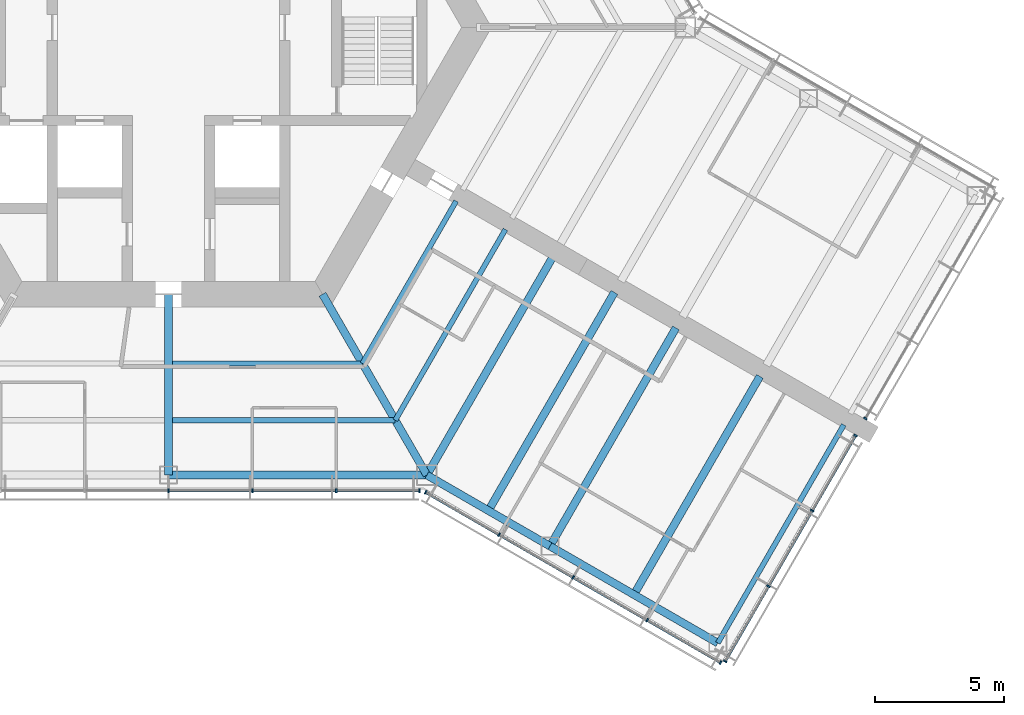
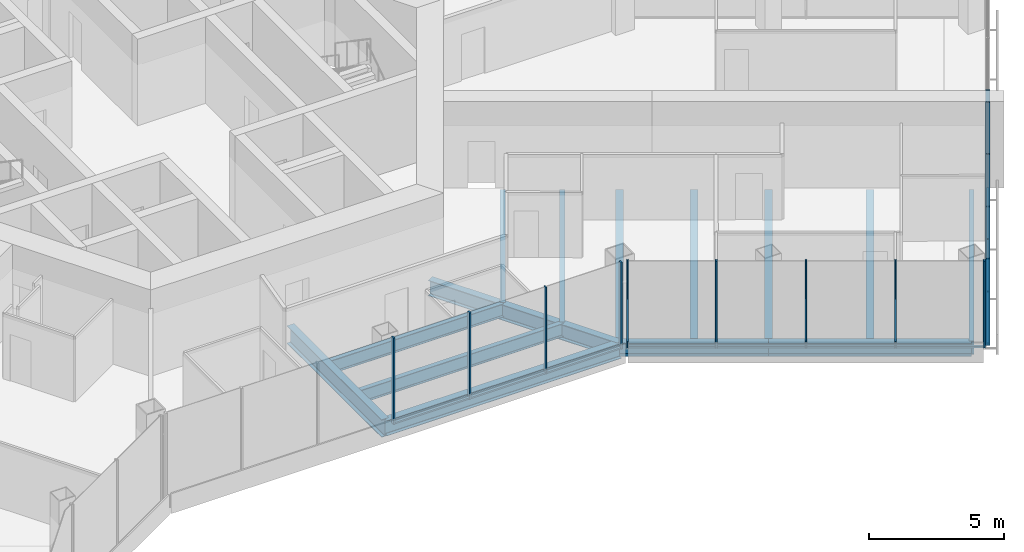
# One storey, part 5 of 19: 24 members, 14 beams, 4 elements without a shape of their own.
"""IFC4 building model written with IfcOpenShell, lengths in metres."""

from ifc_helpers import new_model, si_unit, direction, frame, origin, origin_2d, place, context, subcontext, project, spatial, rectangle, i_section, extrude, material, material_profile, profile_set, type_object, element, aggregate, save


model = new_model("IFC4")

# Units and contexts
model_context = context("Model", 3, precision=1e-05, world=origin(), true_north=direction((0.0, 1.0)))
body_context = subcontext(model_context, "Body", "Model", "MODEL_VIEW")
ifc_project = project(units=[si_unit("LENGTHUNIT", "METRE"), si_unit("AREAUNIT", "SQUARE_METRE"), si_unit("VOLUMEUNIT", "CUBIC_METRE"), si_unit("PLANEANGLEUNIT", "RADIAN"), si_unit("MASSUNIT", "GRAM", prefix="KILO")], contexts=[model_context])

# Site, building, storey
site_placement = place(None, origin())
site = spatial("IfcSite", under=ifc_project, at=site_placement, CompositionType="ELEMENT")
building_placement = place(site_placement, origin())
building = spatial("IfcBuilding", under=site, at=building_placement, Name="Kasaneha Research Tower", CompositionType="ELEMENT")
storey_placement = place(building_placement, frame((0.0, 0.0, 156.5)))
storey = spatial("IfcBuildingStorey", under=building, at=storey_placement, Name="L39", CompositionType="ELEMENT", Elevation=156.5)

# Beams
ifc_material_1 = material(Name="Steel SN490B", Category="steel")
ifc_material_profile_1 = material_profile(ifc_material_1, i_section(OverallWidth=0.199951171875, OverallDepth=0.60009765625, WebThickness=0.010986328125, FlangeThickness=0.01708984375, FilletRadius=0.012939453125, at=origin_2d()), Name="H-600x200x11x17")
ifc_profile_set_1 = profile_set([ifc_material_profile_1], Name="Steel SN490B")
beam_type_1 = type_object("IfcBeamType", Name="B1-3 secondary beam H-600x200x11x17", PredefinedType="JOIST", material=ifc_profile_set_1)
beam_1_placement = place(storey_placement, frame((7.505615234375, -13.0, -0.449951171875), z_axis=(-1.0, 0.0, 0.0), x_axis=(0.0, -1.0, 0.0)))
element("IfcBeam", 1, at=beam_1_placement, inside=storey, type_object=beam_type_1, Name="Secondary beam RS270R1 L39", PredefinedType="JOIST", context=body_context, shape_type="SweptSolid", body=[
    extrude(i_section(OverallWidth=0.199951171875, OverallDepth=0.60009765625, WebThickness=0.010986328125, FlangeThickness=0.01708984375, FilletRadius=0.012939453125, at=origin_2d()), origin(), (0.0, 0.0, 1.0), 7.355712890625),
])
beam_2_placement = place(storey_placement, frame((8.775634765625, -15.199951171875, -0.449951171875), z_axis=(-1.0, 0.0, 0.0), x_axis=(0.0, -1.0, 0.0)))
element("IfcBeam", 2, at=beam_2_placement, inside=storey, type_object=beam_type_1, Name="Secondary beam RS270R2 L39", PredefinedType="JOIST", context=body_context, shape_type="SweptSolid", body=[
    extrude(i_section(OverallWidth=0.199951171875, OverallDepth=0.60009765625, WebThickness=0.010986328125, FlangeThickness=0.01708984375, FilletRadius=0.012939453125, at=origin_2d()), origin(), (0.0, 0.0, 1.0), 8.625732421875),
])
beam_3_placement = place(storey_placement, frame((7.505615234375, -13.0, -0.449951171875), z_axis=(0.499993340521, 0.866029248602, 0.0), x_axis=(-0.866029248602, 0.499993340521, 0.0)))
element("IfcBeam", 3, at=beam_3_placement, inside=storey, type_object=beam_type_1, Name="Secondary beam RS330L1 L39", PredefinedType="JOIST", context=body_context, shape_type="SweptSolid", body=[
    extrude(i_section(OverallWidth=0.199951171875, OverallDepth=0.60009765625, WebThickness=0.010986328125, FlangeThickness=0.01708984375, FilletRadius=0.012939453125, at=origin_2d()), origin(), (0.0, 0.0, 1.0), 7.25537109375),
])
beam_4_placement = place(storey_placement, frame((8.775634765625, -15.199951171875, -0.449951171875), z_axis=(0.500004205306, 0.866022975836, 0.0), x_axis=(-0.866022975836, 0.500004205306, 0.0)))
element("IfcBeam", 4, at=beam_4_placement, inside=storey, type_object=beam_type_1, Name="Secondary beam RS330L2 L39", PredefinedType="JOIST", context=body_context, shape_type="SweptSolid", body=[
    extrude(i_section(OverallWidth=0.199951171875, OverallDepth=0.60009765625, WebThickness=0.010986328125, FlangeThickness=0.01708984375, FilletRadius=0.012939453125, at=origin_2d()), origin(), (0.0, 0.0, 1.0), 8.52587890625),
])
ifc_material_2 = material(Name="Steel SN490B", Category="steel")
ifc_material_profile_2 = material_profile(ifc_material_2, i_section(OverallWidth=0.300048828125, OverallDepth=0.58203125, WebThickness=0.011962890625, FlangeThickness=0.01708984375, FilletRadius=0.012939453125, at=origin_2d()), Name="H-582x300x12x17")
ifc_profile_set_2 = profile_set([ifc_material_profile_2], Name="Steel SN490B")
beam_type_2 = type_object("IfcBeamType", Name="B2-3 secondary beam H-582x300x12x17", PredefinedType="JOIST", material=ifc_profile_set_2)
for number, where, z_axis, x_axis, name in (
    (5, (12.381591796875, -18.695556640625, -0.44091796875), (0.499995560238, 0.866027967067, 0.0), (-0.866027967067, 0.499995560238, 0.0), "Secondary beam WBCP1 L39"),
    (6, (18.0107421875, -21.945556640625, -0.44091796875), (0.499995560238, 0.866027967067, 0.0), (-0.866027967067, 0.499995560238, 0.0), "Secondary beam WBCP2 L39"),
):
    element("IfcBeam", number, at=place(storey_placement, frame(where, z_axis=z_axis, x_axis=x_axis)), inside=storey, type_object=beam_type_2, Name=name, PredefinedType="JOIST", context=body_context, shape_type="SweptSolid", body=[
        extrude(i_section(OverallWidth=0.300048828125, OverallDepth=0.58203125, WebThickness=0.011962890625, FlangeThickness=0.01708984375, FilletRadius=0.012939453125, at=origin_2d()), origin(), (0.0, 0.0, 1.0), 9.75),
    ])

# Curtain wall, members
ifc_material_3 = material(Name="Glass and aluminium", Category="aluminium")
curtain_wall_type = type_object("IfcCurtainWallType", Name="Mid-rise office curtain wall", PredefinedType="USERDEFINED", material=ifc_material_3)
curtain_wall_1_placement = place(storey_placement, origin())
curtain_wall_1 = element("IfcCurtainWall", 7, at=curtain_wall_1_placement, inside=storey, type_object=curtain_wall_type, Name="CW-O2 L39 run 01a", ObjectType="UNITISED CURTAIN WALL", PredefinedType="USERDEFINED")
ifc_material_4 = material(Name="Aluminium 6063-T6", Category="aluminium")
ifc_material_profile_3 = material_profile(ifc_material_4, rectangle(XDim=0.06005859375, YDim=0.14990234375, at=origin_2d()), Name="CW-O2 mullion 60x150")
ifc_profile_set_3 = profile_set([ifc_material_profile_3], Name="Aluminium 6063-T6")
member_type_1 = type_object("IfcMemberType", Name="CW-O2 mullion", PredefinedType="MULLION", material=ifc_profile_set_3)
member_1_placement = place(storey_placement, frame((0.0, -17.92041015625, 0.0), z_axis=(0.0, 0.0, 1.0), x_axis=(1.0, 0.0, 0.0)))
member_1 = element("IfcMember", 8, at=member_1_placement, type_object=member_type_1, Name="CW-O2 mullion 4", PredefinedType="MULLION", context=body_context, shape_type="SweptSolid", body=[
    extrude(rectangle(XDim=0.06005859375, YDim=0.14990234375, at=origin_2d()), origin(), (0.0, 0.0, 1.0), 3.89990234375),
])
member_2_placement = place(storey_placement, frame((3.246337890625, -17.92041015625, 0.0), z_axis=(0.0, 0.0, 1.0), x_axis=(1.0, 0.0, 0.0)))
member_2 = element("IfcMember", 9, at=member_2_placement, type_object=member_type_1, Name="CW-O2 mullion 5", PredefinedType="MULLION", context=body_context, shape_type="SweptSolid", body=[
    extrude(rectangle(XDim=0.06005859375, YDim=0.14990234375, at=origin_2d()), origin(), (0.0, 0.0, 1.0), 3.89990234375),
])
member_3_placement = place(storey_placement, frame((6.492919921875, -17.92041015625, 0.0), z_axis=(0.0, 0.0, 1.0), x_axis=(1.0, 0.0, 0.0)))
member_3 = element("IfcMember", 10, at=member_3_placement, type_object=member_type_1, Name="CW-O2 mullion 6", PredefinedType="MULLION", context=body_context, shape_type="SweptSolid", body=[
    extrude(rectangle(XDim=0.06005859375, YDim=0.14990234375, at=origin_2d()), origin(), (0.0, 0.0, 1.0), 3.89990234375),
])
member_4_placement = place(storey_placement, frame((9.709228515625, -17.92041015625, 0.0), z_axis=(0.0, 0.0, 1.0), x_axis=(1.0, 0.0, 0.0)))
member_4 = element("IfcMember", 11, at=member_4_placement, type_object=member_type_1, Name="CW-O2 mullion 7", PredefinedType="MULLION", context=body_context, shape_type="SweptSolid", body=[
    extrude(rectangle(XDim=0.06005859375, YDim=0.14990234375, at=origin_2d()), origin(), (0.0, 0.0, 1.0), 3.89990234375),
])

curtain_wall_2_placement = place(storey_placement, origin())
curtain_wall_2 = element("IfcCurtainWall", 12, at=curtain_wall_2_placement, inside=storey, type_object=curtain_wall_type, Name="CW-O2 L39 run 02a", ObjectType="UNITISED CURTAIN WALL", PredefinedType="USERDEFINED")
member_5_placement = place(storey_placement, frame((9.951904296875, -17.985595703125, 0.0), z_axis=(0.0, 0.0, 1.0), x_axis=(0.866025411464, -0.499999986699, 0.0)))
member_5 = element("IfcMember", 13, at=member_5_placement, type_object=member_type_1, Name="CW-O2 mullion 1", PredefinedType="MULLION", context=body_context, shape_type="SweptSolid", body=[
    extrude(rectangle(XDim=0.06005859375, YDim=0.14990234375, at=origin_2d()), origin(), (0.0, 0.0, 1.0), 3.89990234375),
])
member_6_placement = place(storey_placement, frame((12.792236328125, -19.62548828125, 0.0), z_axis=(0.0, 0.0, 1.0), x_axis=(0.866025411464, -0.499999986699, 0.0)))
member_6 = element("IfcMember", 14, at=member_6_placement, type_object=member_type_1, Name="CW-O2 mullion 2", PredefinedType="MULLION", context=body_context, shape_type="SweptSolid", body=[
    extrude(rectangle(XDim=0.06005859375, YDim=0.14990234375, at=origin_2d()), origin(), (0.0, 0.0, 1.0), 3.89990234375),
])
member_7_placement = place(storey_placement, frame((15.65869140625, -21.2802734375, 0.0), z_axis=(0.0, 0.0, 1.0), x_axis=(0.866025411464, -0.499999986699, 0.0)))
member_7 = element("IfcMember", 15, at=member_7_placement, type_object=member_type_1, Name="CW-O2 mullion 3", PredefinedType="MULLION", context=body_context, shape_type="SweptSolid", body=[
    extrude(rectangle(XDim=0.06005859375, YDim=0.14990234375, at=origin_2d()), origin(), (0.0, 0.0, 1.0), 3.89990234375),
])
member_8_placement = place(storey_placement, frame((18.52490234375, -22.935302734375, 0.0), z_axis=(0.0, 0.0, 1.0), x_axis=(0.866025411464, -0.499999986699, 0.0)))
member_8 = element("IfcMember", 16, at=member_8_placement, type_object=member_type_1, Name="CW-O2 mullion 4", PredefinedType="MULLION", context=body_context, shape_type="SweptSolid", body=[
    extrude(rectangle(XDim=0.06005859375, YDim=0.14990234375, at=origin_2d()), origin(), (0.0, 0.0, 1.0), 3.89990234375),
])
member_9_placement = place(storey_placement, frame((21.365478515625, -24.5751953125, 0.0), z_axis=(0.0, 0.0, 1.0), x_axis=(0.866025411464, -0.499999986699, 0.0)))
member_9 = element("IfcMember", 17, at=member_9_placement, type_object=member_type_1, Name="CW-O2 mullion 5", PredefinedType="MULLION", context=body_context, shape_type="SweptSolid", body=[
    extrude(rectangle(XDim=0.06005859375, YDim=0.14990234375, at=origin_2d()), origin(), (0.0, 0.0, 1.0), 3.89990234375),
])

curtain_wall_3_placement = place(storey_placement, origin())
curtain_wall_3 = element("IfcCurtainWall", 18, at=curtain_wall_3_placement, inside=storey, type_object=curtain_wall_type, Name="CW-O2 L39 run 03a", ObjectType="UNITISED CURTAIN WALL", PredefinedType="USERDEFINED")
member_10_placement = place(storey_placement, frame((21.54296875, -24.527587890625, 0.0), z_axis=(0.0, 0.0, 1.0), x_axis=(0.500000011442, 0.866025397178, 0.0)))
member_10 = element("IfcMember", 19, at=member_10_placement, type_object=member_type_1, Name="CW-O2 mullion 1", PredefinedType="MULLION", context=body_context, shape_type="SweptSolid", body=[
    extrude(rectangle(XDim=0.06005859375, YDim=0.14990234375, at=origin_2d()), origin(), (0.0, 0.0, 1.0), 3.89990234375),
])
member_11_placement = place(storey_placement, frame((23.2197265625, -21.62353515625, 0.0), z_axis=(0.0, 0.0, 1.0), x_axis=(0.500000011442, 0.866025397178, 0.0)))
member_11 = element("IfcMember", 20, at=member_11_placement, type_object=member_type_1, Name="CW-O2 mullion 2", PredefinedType="MULLION", context=body_context, shape_type="SweptSolid", body=[
    extrude(rectangle(XDim=0.06005859375, YDim=0.14990234375, at=origin_2d()), origin(), (0.0, 0.0, 1.0), 3.89990234375),
])
member_12_placement = place(storey_placement, frame((24.911376953125, -18.693359375, 0.0), z_axis=(0.0, 0.0, 1.0), x_axis=(0.500000011442, 0.866025397178, 0.0)))
member_12 = element("IfcMember", 21, at=member_12_placement, type_object=member_type_1, Name="CW-O2 mullion 3", PredefinedType="MULLION", context=body_context, shape_type="SweptSolid", body=[
    extrude(rectangle(XDim=0.06005859375, YDim=0.14990234375, at=origin_2d()), origin(), (0.0, 0.0, 1.0), 3.89990234375),
])
member_13_placement = place(storey_placement, frame((26.587890625, -15.789306640625, 0.0), z_axis=(0.0, 0.0, 1.0), x_axis=(0.500000011442, 0.866025397178, 0.0)))
member_13 = element("IfcMember", 22, at=member_13_placement, type_object=member_type_1, Name="CW-O2 mullion 4", PredefinedType="MULLION", context=body_context, shape_type="SweptSolid", body=[
    extrude(rectangle(XDim=0.06005859375, YDim=0.14990234375, at=origin_2d()), origin(), (0.0, 0.0, 1.0), 3.89990234375),
])

# Curtain wall, member
curtain_wall_4_placement = place(storey_placement, origin())
curtain_wall_4 = element("IfcCurtainWall", 23, at=curtain_wall_4_placement, inside=storey, type_object=curtain_wall_type, Name="CW-O2 L39 run 04a", ObjectType="UNITISED CURTAIN WALL", PredefinedType="USERDEFINED")
member_14_placement = place(storey_placement, frame((26.968017578125, -15.131103515625, 0.0), z_axis=(0.0, 0.0, 1.0), x_axis=(0.500000011442, 0.866025397178, 0.0)))
member_14 = element("IfcMember", 24, at=member_14_placement, type_object=member_type_1, Name="CW-O2 mullion 1", PredefinedType="MULLION", context=body_context, shape_type="SweptSolid", body=[
    extrude(rectangle(XDim=0.06005859375, YDim=0.14990234375, at=origin_2d()), origin(), (0.0, 0.0, 1.0), 3.89990234375),
])
aggregate(curtain_wall_4, [member_14])

# Member
ifc_material_5 = material(Name="Aluminium 6063-T6", Category="aluminium")
ifc_material_profile_4 = material_profile(ifc_material_5, rectangle(XDim=0.110107421875, YDim=0.06005859375, at=origin_2d()), Name="CW-O2 transom 110x60")
ifc_profile_set_4 = profile_set([ifc_material_profile_4], Name="Aluminium 6063-T6")
member_type_2 = type_object("IfcMemberType", Name="CW-O2 transom", PredefinedType="USERDEFINED", material=ifc_profile_set_4)
member_15_placement = place(storey_placement, frame((0.030029296875, -17.92041015625, 0.030029296875), z_axis=(1.0, 0.0, 0.0), x_axis=(0.0, 1.0, 0.0)))
member_15 = element("IfcMember", 25, at=member_15_placement, type_object=member_type_2, Name="CW-O2 transom 4", ObjectType="TRANSOM", PredefinedType="USERDEFINED", context=body_context, shape_type="SweptSolid", body=[
    extrude(rectangle(XDim=0.110107421875, YDim=0.06005859375, at=origin_2d()), origin(), (0.0, 0.0, 1.0), 3.186279296875),
])

member_16_placement = place(storey_placement, frame((3.2763671875, -17.92041015625, 0.030029296875), z_axis=(1.0, 0.0, 0.0), x_axis=(0.0, 1.0, 0.0)))
member_16 = element("IfcMember", 26, at=member_16_placement, type_object=member_type_2, Name="CW-O2 transom 5", ObjectType="TRANSOM", PredefinedType="USERDEFINED", context=body_context, shape_type="SweptSolid", body=[
    extrude(rectangle(XDim=0.110107421875, YDim=0.06005859375, at=origin_2d()), origin(), (0.0, 0.0, 1.0), 3.1865234375),
])

member_17_placement = place(storey_placement, frame((6.522705078125, -17.92041015625, 0.030029296875), z_axis=(1.0, 0.0, 0.0), x_axis=(0.0, 1.0, 0.0)))
member_17 = element("IfcMember", 27, at=member_17_placement, type_object=member_type_2, Name="CW-O2 transom 6", ObjectType="TRANSOM", PredefinedType="USERDEFINED", context=body_context, shape_type="SweptSolid", body=[
    extrude(rectangle(XDim=0.110107421875, YDim=0.06005859375, at=origin_2d()), origin(), (0.0, 0.0, 1.0), 3.156494140625),
])

aggregate(curtain_wall_1, [member_1, member_2, member_3, member_4, member_15, member_16, member_17])

member_18_placement = place(storey_placement, frame((9.977783203125, -18.00048828125, 0.030029296875), z_axis=(0.866022692473, -0.500004696101, 0.0), x_axis=(0.500004696101, 0.866022692473, 0.0)))
member_18 = element("IfcMember", 28, at=member_18_placement, type_object=member_type_2, Name="CW-O2 transom 1", ObjectType="TRANSOM", PredefinedType="USERDEFINED", context=body_context, shape_type="SweptSolid", body=[
    extrude(rectangle(XDim=0.110107421875, YDim=0.06005859375, at=origin_2d()), origin(), (0.0, 0.0, 1.0), 3.2197265625),
])

member_19_placement = place(storey_placement, frame((12.818115234375, -19.640380859375, 0.030029296875), z_axis=(0.866015446554, -0.500017246033, 0.0), x_axis=(0.500017246033, 0.866015446554, 0.0)))
member_19 = element("IfcMember", 29, at=member_19_placement, type_object=member_type_2, Name="CW-O2 transom 2", ObjectType="TRANSOM", PredefinedType="USERDEFINED", context=body_context, shape_type="SweptSolid", body=[
    extrude(rectangle(XDim=0.110107421875, YDim=0.06005859375, at=origin_2d()), origin(), (0.0, 0.0, 1.0), 3.25),
])

member_20_placement = place(storey_placement, frame((15.6845703125, -21.29541015625, 0.030029296875), z_axis=(0.86604797581, -0.499960902066, 0.0), x_axis=(0.499960902066, 0.86604797581, 0.0)))
member_20 = element("IfcMember", 30, at=member_20_placement, type_object=member_type_2, Name="CW-O2 transom 3", ObjectType="TRANSOM", PredefinedType="USERDEFINED", context=body_context, shape_type="SweptSolid", body=[
    extrude(rectangle(XDim=0.110107421875, YDim=0.06005859375, at=origin_2d()), origin(), (0.0, 0.0, 1.0), 3.249755859375),
])

member_21_placement = place(storey_placement, frame((18.551025390625, -22.9501953125, 0.030029296875), z_axis=(0.866022692473, -0.500004696101, 0.0), x_axis=(0.500004696101, 0.866022692473, 0.0)))
member_21 = element("IfcMember", 31, at=member_21_placement, type_object=member_type_2, Name="CW-O2 transom 4", ObjectType="TRANSOM", PredefinedType="USERDEFINED", context=body_context, shape_type="SweptSolid", body=[
    extrude(rectangle(XDim=0.110107421875, YDim=0.06005859375, at=origin_2d()), origin(), (0.0, 0.0, 1.0), 3.2197265625),
])

aggregate(curtain_wall_2, [member_5, member_6, member_7, member_8, member_9, member_18, member_19, member_20, member_21])

member_22_placement = place(storey_placement, frame((21.557861328125, -24.50146484375, 0.030029296875), z_axis=(0.500021914551, 0.866012751043, 0.0), x_axis=(-0.866012751043, 0.500021914551, 0.0)))
member_22 = element("IfcMember", 32, at=member_22_placement, type_object=member_type_2, Name="CW-O2 transom 1", ObjectType="TRANSOM", PredefinedType="USERDEFINED", context=body_context, shape_type="SweptSolid", body=[
    extrude(rectangle(XDim=0.110107421875, YDim=0.06005859375, at=origin_2d()), origin(), (0.0, 0.0, 1.0), 3.293212890625),
])

member_23_placement = place(storey_placement, frame((23.234619140625, -21.597412109375, 0.030029296875), z_axis=(0.500010745865, 0.866019199568, 0.0), x_axis=(-0.866019199568, 0.500010745865, 0.0)))
member_23 = element("IfcMember", 33, at=member_23_placement, type_object=member_type_2, Name="CW-O2 transom 2", ObjectType="TRANSOM", PredefinedType="USERDEFINED", context=body_context, shape_type="SweptSolid", body=[
    extrude(rectangle(XDim=0.110107421875, YDim=0.06005859375, at=origin_2d()), origin(), (0.0, 0.0, 1.0), 3.3232421875),
])

member_24_placement = place(storey_placement, frame((24.92626953125, -18.66748046875, 0.030029296875), z_axis=(0.500021914551, 0.866012751043, 0.0), x_axis=(-0.866012751043, 0.500021914551, 0.0)))
member_24 = element("IfcMember", 34, at=member_24_placement, type_object=member_type_2, Name="CW-O2 transom 3", ObjectType="TRANSOM", PredefinedType="USERDEFINED", context=body_context, shape_type="SweptSolid", body=[
    extrude(rectangle(XDim=0.110107421875, YDim=0.06005859375, at=origin_2d()), origin(), (0.0, 0.0, 1.0), 3.293212890625),
])

aggregate(curtain_wall_3, [member_10, member_11, member_12, member_13, member_22, member_23, member_24])

# Beams
ifc_material_6 = material(Name="Steel SN490B", Category="steel")
ifc_material_profile_5 = material_profile(ifc_material_6, i_section(OverallWidth=0.300048828125, OverallDepth=0.699951171875, WebThickness=0.012939453125, FlangeThickness=0.02392578125, FilletRadius=0.01806640625, at=origin_2d()), Name="H-700x300x13x24")
ifc_profile_set_5 = profile_set([ifc_material_profile_5], Name="Steel SN490B")
beam_type_3 = type_object("IfcBeamType", Name="G1-3 radial girder H-700x300x13x24", PredefinedType="BEAM", material=ifc_profile_set_5)
beam_5_placement = place(storey_placement, frame((5.961181640625, -10.324951171875, -0.5), z_axis=(0.49999105496, -0.866030568144, 0.0), x_axis=(0.866030568144, 0.49999105496, 0.0)))
element("IfcBeam", 35, at=beam_5_placement, inside=storey, type_object=beam_type_3, Name="Radial girder RV300 L39", PredefinedType="BEAM", context=body_context, shape_type="SweptSolid", body=[
    extrude(i_section(OverallWidth=0.300048828125, OverallDepth=0.699951171875, WebThickness=0.012939453125, FlangeThickness=0.02392578125, FilletRadius=0.01806640625, at=origin_2d()), origin(), (0.0, 0.0, 1.0), 8.077880859375),
])
ifc_material_7 = material(Name="Steel SN490B", Category="steel")
ifc_material_profile_6 = material_profile(ifc_material_7, i_section(OverallWidth=0.300048828125, OverallDepth=0.800048828125, WebThickness=0.013916015625, FlangeThickness=0.02587890625, FilletRadius=0.01806640625, at=origin_2d()), Name="H-800x300x14x26")
ifc_profile_set_6 = profile_set([ifc_material_profile_6], Name="Steel SN490B")
beam_type_4 = type_object("IfcBeamType", Name="G2-3 radial girder H-800x300x14x26", PredefinedType="BEAM", material=ifc_profile_set_6)
beam_6_placement = place(storey_placement, frame((0.0, -10.324951171875, -0.550048828125), z_axis=(0.0, -1.0, 0.0), x_axis=(1.0, 0.0, 0.0)))
element("IfcBeam", 36, at=beam_6_placement, inside=storey, type_object=beam_type_4, Name="Radial girder RM270 L39", PredefinedType="BEAM", context=body_context, shape_type="SweptSolid", body=[
    extrude(i_section(OverallWidth=0.300048828125, OverallDepth=0.800048828125, WebThickness=0.013916015625, FlangeThickness=0.02587890625, FilletRadius=0.01806640625, at=origin_2d()), origin(), (0.0, 0.0, 1.0), 6.99560546875),
])
ifc_material_8 = material(Name="Steel SN490B", Category="steel")
ifc_material_profile_7 = material_profile(ifc_material_8, i_section(OverallWidth=0.300048828125, OverallDepth=0.69189453125, WebThickness=0.012939453125, FlangeThickness=0.02001953125, FilletRadius=0.01806640625, at=origin_2d()), Name="H-692x300x13x20")
ifc_profile_set_7 = profile_set([ifc_material_profile_7], Name="Steel SN490B")
beam_type_5 = type_object("IfcBeamType", Name="G3-3 plate edge girder H-692x300x13x20", PredefinedType="BEAM", material=ifc_profile_set_7)
beam_7_placement = place(storey_placement, frame((10.0, -17.320556640625, -0.49609375), z_axis=(0.499995560238, 0.866027967067, 0.0), x_axis=(-0.866027967067, 0.499995560238, 0.0)))
element("IfcBeam", 37, at=beam_7_placement, inside=storey, type_object=beam_type_5, Name="Plate edge girder PECP L39", PredefinedType="BEAM", context=body_context, shape_type="SweptSolid", body=[
    extrude(i_section(OverallWidth=0.300048828125, OverallDepth=0.69189453125, WebThickness=0.012939453125, FlangeThickness=0.02001953125, FilletRadius=0.01806640625, at=origin_2d()), origin(), (0.0, 0.0, 1.0), 9.75),
])
ifc_material_9 = material(Name="Steel SN490B", Category="steel")
ifc_material_profile_8 = material_profile(ifc_material_9, i_section(OverallWidth=0.300048828125, OverallDepth=0.699951171875, WebThickness=0.012939453125, FlangeThickness=0.02392578125, FilletRadius=0.01806640625, at=origin_2d()), Name="H-700x300x13x24")
ifc_profile_set_8 = profile_set([ifc_material_profile_8], Name="Steel SN490B")
beam_type_6 = type_object("IfcBeamType", Name="G4-3 wing girder H-700x300x13x24", PredefinedType="BEAM", material=ifc_profile_set_8)
beam_8_placement = place(storey_placement, frame((14.76318359375, -20.070556640625, -0.5), z_axis=(0.499995560238, 0.866027967067, 0.0), x_axis=(-0.866027967067, 0.499995560238, 0.0)))
element("IfcBeam", 38, at=beam_8_placement, inside=storey, type_object=beam_type_6, Name="Wing girder WGCP L39", PredefinedType="BEAM", context=body_context, shape_type="SweptSolid", body=[
    extrude(i_section(OverallWidth=0.300048828125, OverallDepth=0.699951171875, WebThickness=0.012939453125, FlangeThickness=0.02392578125, FilletRadius=0.01806640625, at=origin_2d()), origin(), (0.0, 0.0, 1.0), 9.75),
])
ifc_material_10 = material(Name="Steel SN490B", Category="steel")
ifc_material_profile_9 = material_profile(ifc_material_10, i_section(OverallWidth=0.300048828125, OverallDepth=0.69189453125, WebThickness=0.012939453125, FlangeThickness=0.02001953125, FilletRadius=0.01806640625, at=origin_2d()), Name="H-692x300x13x20")
ifc_profile_set_9 = profile_set([ifc_material_profile_9], Name="Steel SN490B")
beam_type_7 = type_object("IfcBeamType", Name="SB1-3 spandrel beam H-692x300x13x20", PredefinedType="SPANDREL", material=ifc_profile_set_9)
beam_9_placement = place(storey_placement, frame((10.0, -17.320556640625, -0.49609375), z_axis=(-1.0, 0.0, 0.0), x_axis=(0.0, -1.0, 0.0)))
element("IfcBeam", 39, at=beam_9_placement, inside=storey, type_object=beam_type_7, Name="Spandrel beam SR270R L39", PredefinedType="SPANDREL", context=body_context, shape_type="SweptSolid", body=[
    extrude(i_section(OverallWidth=0.300048828125, OverallDepth=0.69189453125, WebThickness=0.012939453125, FlangeThickness=0.02001953125, FilletRadius=0.01806640625, at=origin_2d()), origin(), (0.0, 0.0, 1.0), 10.0),
])
ifc_material_11 = material(Name="Steel SN490B", Category="steel")
ifc_material_profile_10 = material_profile(ifc_material_11, i_section(OverallWidth=0.300048828125, OverallDepth=0.58203125, WebThickness=0.011962890625, FlangeThickness=0.01708984375, FilletRadius=0.012939453125, at=origin_2d()), Name="H-582x300x12x17")
ifc_profile_set_10 = profile_set([ifc_material_profile_10], Name="Steel SN490B")
beam_type_8 = type_object("IfcBeamType", Name="SB2-3 spandrel beam H-582x300x12x17", PredefinedType="SPANDREL", material=ifc_profile_set_10)
beam_10_placement = place(storey_placement, frame((10.0, -17.320556640625, -0.44091796875), z_axis=(0.866027397988, -0.499996545922, 0.0), x_axis=(0.499996545922, 0.866027397988, 0.0)))
element("IfcBeam", 40, at=beam_10_placement, inside=storey, type_object=beam_type_8, Name="Spandrel beam WSCP1 L39", PredefinedType="SPANDREL", context=body_context, shape_type="SweptSolid", body=[
    extrude(i_section(OverallWidth=0.300048828125, OverallDepth=0.58203125, WebThickness=0.011962890625, FlangeThickness=0.01708984375, FilletRadius=0.012939453125, at=origin_2d()), origin(), (0.0, 0.0, 1.0), 5.5),
])
beam_11_placement = place(storey_placement, frame((14.76318359375, -20.070556640625, -0.44091796875), z_axis=(0.866022959057, -0.500004234368, 0.0), x_axis=(0.500004234368, 0.866022959057, 0.0)))
element("IfcBeam", 41, at=beam_11_placement, inside=storey, type_object=beam_type_8, Name="Spandrel beam WSCP2 L39", PredefinedType="SPANDREL", context=body_context, shape_type="SweptSolid", body=[
    extrude(i_section(OverallWidth=0.300048828125, OverallDepth=0.58203125, WebThickness=0.011962890625, FlangeThickness=0.01708984375, FilletRadius=0.012939453125, at=origin_2d()), origin(), (0.0, 0.0, 1.0), 7.5),
])
ifc_material_12 = material(Name="Steel SN490B", Category="steel")
ifc_material_profile_11 = material_profile(ifc_material_12, i_section(OverallWidth=0.199951171875, OverallDepth=0.60009765625, WebThickness=0.010986328125, FlangeThickness=0.01708984375, FilletRadius=0.012939453125, at=origin_2d()), Name="H-600x200x11x17")
ifc_profile_set_11 = profile_set([ifc_material_profile_11], Name="Steel SN490B")
beam_type_9 = type_object("IfcBeamType", Name="SB3-3 spandrel beam H-600x200x11x17", PredefinedType="SPANDREL", material=ifc_profile_set_11)
beam_12_placement = place(storey_placement, frame((21.25830078125, -23.820556640625, -0.449951171875), z_axis=(0.499995560238, 0.866027967067, 0.0), x_axis=(-0.866027967067, 0.499995560238, 0.0)))
element("IfcBeam", 42, at=beam_12_placement, inside=storey, type_object=beam_type_9, Name="Spandrel beam WTCP L39", PredefinedType="SPANDREL", context=body_context, shape_type="SweptSolid", body=[
    extrude(i_section(OverallWidth=0.199951171875, OverallDepth=0.60009765625, WebThickness=0.010986328125, FlangeThickness=0.01708984375, FilletRadius=0.012939453125, at=origin_2d()), origin(), (0.0, 0.0, 1.0), 9.75),
])

save(model, "model.ifc")
